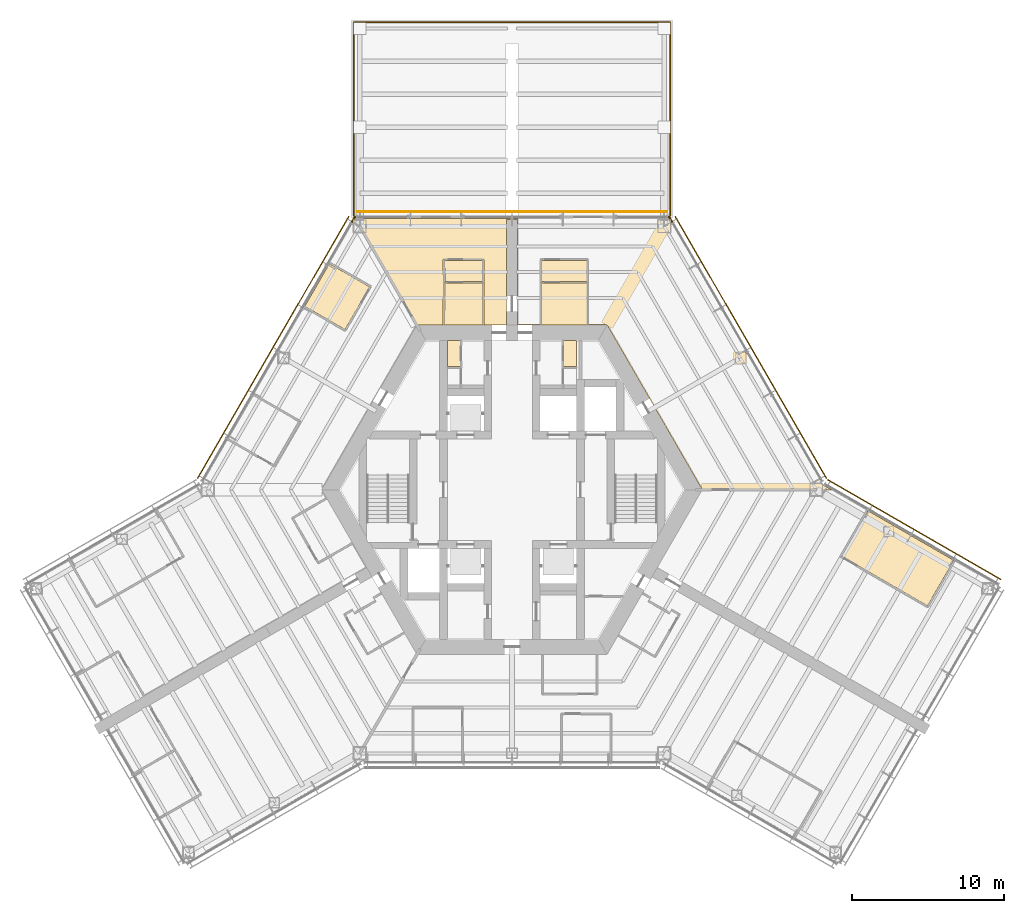
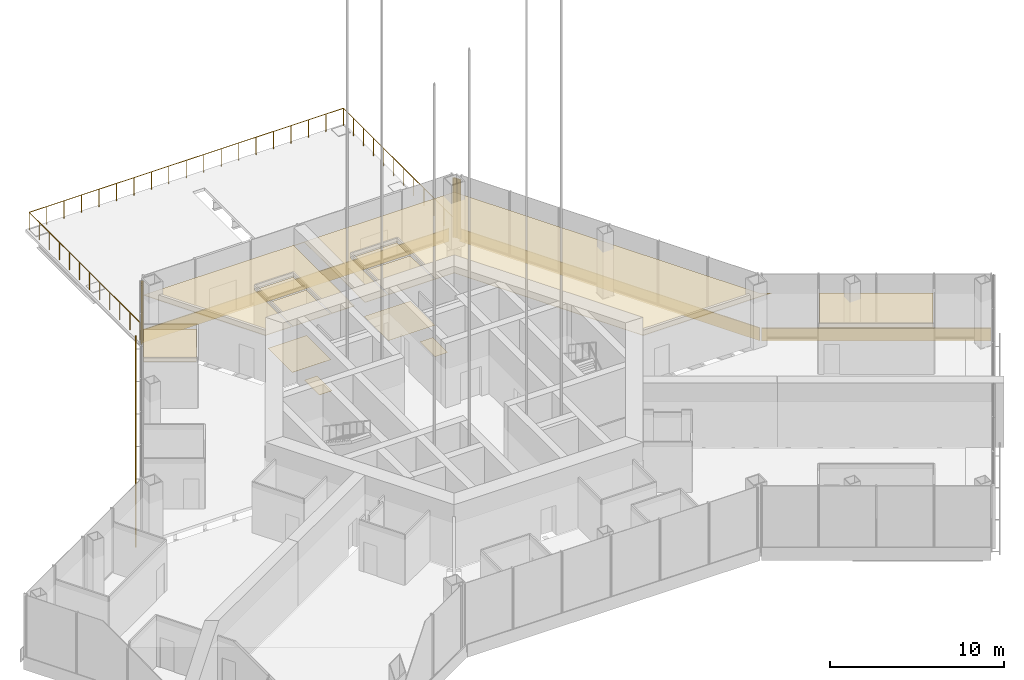
# One storey, part 17 of 18: 14 coverings, 4 shading devices, 1 railing.
"""IFC4 building model written with IfcOpenShell, lengths in metres."""

from ifc_helpers import new_model, si_unit, direction, frame, origin, origin_2d, place, context, subcontext, project, spatial, polyline, rectangle, circle, outline, extrude, material, layer, layer_set, type_object, element, save


model = new_model("IFC4")

# Units and contexts
model_context = context("Model", 3, precision=1e-05, world=origin(), true_north=direction((0.0, 1.0)))
body_context = subcontext(model_context, "Body", "Model", "MODEL_VIEW")
ifc_project = project(units=[si_unit("LENGTHUNIT", "METRE"), si_unit("AREAUNIT", "SQUARE_METRE"), si_unit("VOLUMEUNIT", "CUBIC_METRE"), si_unit("PLANEANGLEUNIT", "RADIAN"), si_unit("MASSUNIT", "GRAM", prefix="KILO")], contexts=[model_context])

# Site, building, storey
site_placement = place(None, origin())
site = spatial("IfcSite", under=ifc_project, at=site_placement, CompositionType="ELEMENT")
building_placement = place(site_placement, origin())
building = spatial("IfcBuilding", under=site, at=building_placement, Name="Kasaneha Research Tower", CompositionType="ELEMENT")
storey_placement = place(building_placement, frame((0.0, 0.0, 128.60009765625)))
storey = spatial("IfcBuildingStorey", under=building, at=storey_placement, Name="L32", CompositionType="ELEMENT", Elevation=128.60009765625)

# Coverings
ifc_material_1 = material(Name="Perforated aluminium acoustic ceiling", Category="aluminium")
ifc_layer_1 = layer(ifc_material_1, 0.030029296875)
ifc_layer_set_1 = layer_set([ifc_layer_1], Name="Acoustic ceiling 30")
covering_type_1 = type_object("IfcCoveringType", Name="Acoustic ceiling 30", PredefinedType="CEILING", material=ifc_layer_set_1)
covering_1_placement = place(storey_placement, frame((0.0, 0.0, 3.199951171875)))
element("IfcCovering", 1, at=covering_1_placement, inside=storey, type_object=covering_type_1, Name="Ceiling L32-30", PredefinedType="CEILING", context=body_context, shape_type="SweptSolid", body=[
    extrude(outline(polyline([(1.89990234375, 10.824951171875), (1.89990234375, 10.844970703125), (1.949951171875, 10.844970703125), (1.95458984375, 13.570068359375), (4.91650390625, 13.570068359375), (4.9208984375, 10.844970703125), (4.970947265625, 10.844970703125), (4.970947265625, 10.824951171875), (1.89990234375, 10.824951171875)])), origin(), (0.0, 0.0, 1.0), 0.030029296875),
])
covering_2_placement = place(storey_placement, frame((0.0, 0.0, 3.199951171875)))
element("IfcCovering", 2, at=covering_2_placement, inside=storey, type_object=covering_type_1, Name="Ceiling L32-31", PredefinedType="CEILING", context=body_context, shape_type="SweptSolid", body=[
    extrude(outline(polyline([(1.954345703125, 13.669921875), (1.9501953125, 15.074951171875), (4.9208984375, 15.074951171875), (4.91650390625, 13.669921875), (1.954345703125, 13.669921875)])), origin(), (0.0, 0.0, 1.0), 0.030029296875),
])
covering_3_placement = place(storey_placement, frame((0.0, 0.0, 3.199951171875)))
element("IfcCovering", 3, at=covering_3_placement, inside=storey, type_object=covering_type_1, Name="Ceiling L32-32", PredefinedType="CEILING", context=body_context, shape_type="SweptSolid", body=[
    extrude(outline(polyline([(6.249755859375, 10.824951171875), (4.971435546875, 10.824951171875), (4.971435546875, 10.844970703125), (5.02099609375, 10.844970703125), (5.016357421875, 13.625), (5.02099609375, 15.124755859375), (4.971435546875, 15.125), (4.971435546875, 15.12548828125), (4.970947265625, 15.12548828125), (4.970947265625, 15.175048828125), (1.89990234375, 15.175048828125), (1.89990234375, 15.125244140625), (1.899658203125, 15.125244140625), (1.899658203125, 15.125), (1.85009765625, 15.124755859375), (1.8544921875, 13.625), (1.85009765625, 10.844970703125), (1.8994140625, 10.844970703125), (1.8994140625, 10.824951171875), (0.35009765625, 10.824951171875), (0.35009765625, 11.72509765625), (0.35009765625, 12.72509765625), (0.35009765625, 17.7705078125), (0.35009765625, 17.7705078125), (0.0, 17.7705078125), (0.0, 17.820556640625), (10.28857421875, 17.820556640625), (20.365966796875, 0.365966796875), (21.0, 0.0), (12.49951171875, 0.0), (6.249755859375, 10.824951171875)])), origin(), (0.0, 0.0, 1.0), 0.030029296875),
])
covering_4_placement = place(storey_placement, frame((0.0, 0.0, 3.199951171875)))
element("IfcCovering", 4, at=covering_4_placement, inside=storey, type_object=covering_type_1, Name="Ceiling L32-33", PredefinedType="CEILING", context=body_context, shape_type="SweptSolid", body=[
    extrude(outline(polyline([(-4.470947265625, 10.824951171875), (-4.470947265625, 10.844970703125), (-4.4208984375, 10.844970703125), (-4.41650390625, 13.570068359375), (-1.95458984375, 13.570068359375), (-1.949951171875, 10.844970703125), (-1.89990234375, 10.844970703125), (-1.89990234375, 10.824951171875), (-4.470947265625, 10.824951171875)])), origin(), (0.0, 0.0, 1.0), 0.030029296875),
])
covering_5_placement = place(storey_placement, frame((0.0, 0.0, 3.199951171875)))
element("IfcCovering", 5, at=covering_5_placement, inside=storey, type_object=covering_type_1, Name="Ceiling L32-34", PredefinedType="CEILING", context=body_context, shape_type="SweptSolid", body=[
    extrude(outline(polyline([(-1.9501953125, 15.074951171875), (-1.95458984375, 13.669921875), (-4.41650390625, 13.669921875), (-4.4208984375, 15.074951171875), (-1.9501953125, 15.074951171875)])), origin(), (0.0, 0.0, 1.0), 0.030029296875),
])
covering_6_placement = place(storey_placement, frame((0.0, 0.0, 3.199951171875)))
element("IfcCovering", 6, at=covering_6_placement, inside=storey, type_object=covering_type_1, Name="Ceiling L32-35", PredefinedType="CEILING", context=body_context, shape_type="SweptSolid", body=[
    extrude(outline(polyline([(-0.35009765625, 11.72509765625), (-0.35009765625, 10.824951171875), (-1.8994140625, 10.824951171875), (-1.8994140625, 10.844970703125), (-1.85009765625, 10.844970703125), (-1.854736328125, 13.625), (-1.85009765625, 15.124755859375), (-1.89990234375, 15.125), (-1.89990234375, 15.12548828125), (-1.89990234375, 15.175048828125), (-4.470947265625, 15.175048828125), (-4.470947265625, 15.125244140625), (-4.471435546875, 15.125244140625), (-4.471435546875, 15.125), (-4.52099609375, 15.124755859375), (-4.516357421875, 13.625), (-4.52099609375, 10.844970703125), (-4.471435546875, 10.844970703125), (-4.471435546875, 10.824951171875), (-6.249755859375, 10.824951171875), (-10.28857421875, 17.820556640625), (0.0, 17.820556640625), (0.0, 17.7705078125), (-0.35009765625, 17.7705078125), (-0.35009765625, 17.7705078125), (-0.35009765625, 12.72509765625), (-0.35009765625, 11.72509765625)])), origin(), (0.0, 0.0, 1.0), 0.030029296875),
])
covering_7_placement = place(storey_placement, frame((0.0, 0.0, 3.199951171875)))
element("IfcCovering", 7, at=covering_7_placement, inside=storey, type_object=covering_type_1, Name="Ceiling L32-39", PredefinedType="CEILING", context=body_context, shape_type="SweptSolid", body=[
    extrude(outline(polyline([(-11.975341796875, 14.899169921875), (-11.94921875, 14.88427734375), (-11.974365234375, 14.8408203125), (-9.35888671875, 13.330810546875), (-10.974365234375, 10.53271484375), (-13.598388671875, 12.0478515625), (-13.623291015625, 12.004638671875), (-13.640869140625, 12.0146484375), (-11.975341796875, 14.899169921875)])), origin(), (0.0, 0.0, 1.0), 0.030029296875),
])
covering_8_placement = place(storey_placement, frame((0.0, 0.0, 3.199951171875)))
element("IfcCovering", 8, at=covering_8_placement, inside=storey, type_object=covering_type_1, Name="Ceiling L32-46", PredefinedType="CEILING", context=body_context, shape_type="SweptSolid", body=[
    extrude(outline(polyline([(29.074951171875, -4.662109375), (29.06005859375, -4.68798828125), (29.0166015625, -4.6630859375), (27.306640625, -7.625), (21.660400390625, -4.364990234375), (23.37548828125, -1.39453125), (23.332275390625, -1.36962890625), (23.34228515625, -1.352294921875), (29.074951171875, -4.662109375)])), origin(), (0.0, 0.0, 1.0), 0.030029296875),
])
ifc_material_2 = material(Name="Terracotta", Category="masonry")
covering_type_2 = type_object("IfcCoveringType", Name="Corner pier cladding", PredefinedType="CLADDING", material=ifc_material_2)
covering_9_placement = place(storey_placement, origin())
element("IfcCovering", 9, at=covering_9_placement, inside=storey, type_object=covering_type_2, Name="Corner pier cladding L32 V1", PredefinedType="CLADDING", context=body_context, shape_type="SweptSolid", body=[
    extrude(outline(polyline([(10.511474609375, 17.53466796875), (10.449951171875, 17.64111328125), (10.449951171875, 17.7705078125), (10.375244140625, 17.7705078125), (10.317626953125, 17.87060546875), (10.247314453125, 17.87060546875), (10.247314453125, 17.96044921875), (10.369384765625, 17.96044921875), (10.58935546875, 17.57958984375), (10.511474609375, 17.53466796875)])), origin(), (0.0, 0.0, 1.0), 4.15185546875),
])
covering_10_placement = place(storey_placement, origin())
element("IfcCovering", 10, at=covering_10_placement, inside=storey, type_object=covering_type_2, Name="Corner pier cladding L32 V2", PredefinedType="CLADDING", context=body_context, shape_type="SweptSolid", body=[
    extrude(outline(polyline([(-10.247314453125, 17.87060546875), (-10.317626953125, 17.87060546875), (-10.375244140625, 17.7705078125), (-10.449951171875, 17.7705078125), (-10.449951171875, 17.64111328125), (-10.511474609375, 17.53466796875), (-10.58935546875, 17.57958984375), (-10.369384765625, 17.96044921875), (-10.247314453125, 17.96044921875), (-10.247314453125, 17.87060546875)])), origin(), (0.0, 0.0, 1.0), 4.15185546875),
])

# Railing
ifc_material_3 = material(Name="Steel and laminated glass", Category="steel")
railing_type = type_object("IfcRailingType", Name="Terrace guard 1250", PredefinedType="GUARDRAIL", material=ifc_material_3)
railing_placement = place(storey_placement, frame((-10.39990234375, 18.0205078125, 0.0)))
element("IfcRailing", 11, at=railing_placement, inside=storey, type_object=railing_type, Name="Terrace guard A L32", PredefinedType="GUARDRAIL", context=body_context, shape_type="SweptSolid", body=[
    extrude(circle(Radius=0.02392578125, at=origin_2d()), frame((0.0, 0.0, 1.22607421875), z_axis=(0.0, 1.0, 0.0), x_axis=(-1.0, 0.0, 0.0)), (0.0, 0.0, 1.0), 12.699951171875),
    extrude(circle(Radius=0.02392578125, at=origin_2d()), frame((0.0, 12.699951171875, 1.22607421875), z_axis=(1.0, 0.0, 0.0), x_axis=(0.0, 1.0, 0.0)), (0.0, 0.0, 1.0), 20.7998046875),
    extrude(circle(Radius=0.02392578125, at=origin_2d()), frame((20.7998046875, 12.699951171875, 1.22607421875), z_axis=(0.0, -1.0, 0.0), x_axis=(1.0, 0.0, 0.0)), (0.0, 0.0, 1.0), 12.699951171875),
    extrude(circle(Radius=0.02099609375, at=origin_2d()), origin(), (0.0, 0.0, 1.0), 1.201904296875),
    extrude(circle(Radius=0.02099609375, at=origin_2d()), frame((0.0, 1.154541015625, 0.0)), (0.0, 0.0, 1.0), 1.201904296875),
    extrude(circle(Radius=0.02099609375, at=origin_2d()), frame((0.0, 2.30908203125, 0.0)), (0.0, 0.0, 1.0), 1.201904296875),
    extrude(circle(Radius=0.02099609375, at=origin_2d()), frame((0.0, 3.463623046875, 0.0)), (0.0, 0.0, 1.0), 1.201904296875),
    extrude(circle(Radius=0.02099609375, at=origin_2d()), frame((0.0, 4.6181640625, 0.0)), (0.0, 0.0, 1.0), 1.201904296875),
    extrude(circle(Radius=0.02099609375, at=origin_2d()), frame((0.0, 5.772705078125, 0.0)), (0.0, 0.0, 1.0), 1.201904296875),
    extrude(circle(Radius=0.02099609375, at=origin_2d()), frame((0.0, 6.92724609375, 0.0)), (0.0, 0.0, 1.0), 1.201904296875),
    extrude(circle(Radius=0.02099609375, at=origin_2d()), frame((0.0, 8.081787109375, 0.0)), (0.0, 0.0, 1.0), 1.201904296875),
    extrude(circle(Radius=0.02099609375, at=origin_2d()), frame((0.0, 9.236328125, 0.0)), (0.0, 0.0, 1.0), 1.201904296875),
    extrude(circle(Radius=0.02099609375, at=origin_2d()), frame((0.0, 10.390869140625, 0.0)), (0.0, 0.0, 1.0), 1.201904296875),
    extrude(circle(Radius=0.02099609375, at=origin_2d()), frame((0.0, 11.54541015625, 0.0)), (0.0, 0.0, 1.0), 1.201904296875),
    extrude(circle(Radius=0.02099609375, at=origin_2d()), frame((0.0, 12.699951171875, 0.0)), (0.0, 0.0, 1.0), 1.201904296875),
    extrude(circle(Radius=0.02099609375, at=origin_2d()), frame((1.155517578125, 12.699951171875, 0.0)), (0.0, 0.0, 1.0), 1.201904296875),
    extrude(circle(Radius=0.02099609375, at=origin_2d()), frame((2.31103515625, 12.699951171875, 0.0)), (0.0, 0.0, 1.0), 1.201904296875),
    extrude(circle(Radius=0.02099609375, at=origin_2d()), frame((3.466552734375, 12.699951171875, 0.0)), (0.0, 0.0, 1.0), 1.201904296875),
    extrude(circle(Radius=0.02099609375, at=origin_2d()), frame((4.6220703125, 12.699951171875, 0.0)), (0.0, 0.0, 1.0), 1.201904296875),
    extrude(circle(Radius=0.02099609375, at=origin_2d()), frame((5.77783203125, 12.699951171875, 0.0)), (0.0, 0.0, 1.0), 1.201904296875),
    extrude(circle(Radius=0.02099609375, at=origin_2d()), frame((6.933349609375, 12.699951171875, 0.0)), (0.0, 0.0, 1.0), 1.201904296875),
    extrude(circle(Radius=0.02099609375, at=origin_2d()), frame((8.0888671875, 12.699951171875, 0.0)), (0.0, 0.0, 1.0), 1.201904296875),
    extrude(circle(Radius=0.02099609375, at=origin_2d()), frame((9.244384765625, 12.699951171875, 0.0)), (0.0, 0.0, 1.0), 1.201904296875),
    extrude(circle(Radius=0.02099609375, at=origin_2d()), frame((10.39990234375, 12.699951171875, 0.0)), (0.0, 0.0, 1.0), 1.201904296875),
    extrude(circle(Radius=0.02099609375, at=origin_2d()), frame((11.555419921875, 12.699951171875, 0.0)), (0.0, 0.0, 1.0), 1.201904296875),
    extrude(circle(Radius=0.02099609375, at=origin_2d()), frame((12.7109375, 12.699951171875, 0.0)), (0.0, 0.0, 1.0), 1.201904296875),
    extrude(circle(Radius=0.02099609375, at=origin_2d()), frame((13.866455078125, 12.699951171875, 0.0)), (0.0, 0.0, 1.0), 1.201904296875),
    extrude(circle(Radius=0.02099609375, at=origin_2d()), frame((15.02197265625, 12.699951171875, 0.0)), (0.0, 0.0, 1.0), 1.201904296875),
    extrude(circle(Radius=0.02099609375, at=origin_2d()), frame((16.177734375, 12.699951171875, 0.0)), (0.0, 0.0, 1.0), 1.201904296875),
    extrude(circle(Radius=0.02099609375, at=origin_2d()), frame((17.333251953125, 12.699951171875, 0.0)), (0.0, 0.0, 1.0), 1.201904296875),
    extrude(circle(Radius=0.02099609375, at=origin_2d()), frame((18.48876953125, 12.699951171875, 0.0)), (0.0, 0.0, 1.0), 1.201904296875),
    extrude(circle(Radius=0.02099609375, at=origin_2d()), frame((19.644287109375, 12.699951171875, 0.0)), (0.0, 0.0, 1.0), 1.201904296875),
    extrude(circle(Radius=0.02099609375, at=origin_2d()), frame((20.7998046875, 12.699951171875, 0.0)), (0.0, 0.0, 1.0), 1.201904296875),
    extrude(circle(Radius=0.02099609375, at=origin_2d()), frame((20.7998046875, 11.54541015625, 0.0)), (0.0, 0.0, 1.0), 1.201904296875),
    extrude(circle(Radius=0.02099609375, at=origin_2d()), frame((20.7998046875, 10.390869140625, 0.0)), (0.0, 0.0, 1.0), 1.201904296875),
    extrude(circle(Radius=0.02099609375, at=origin_2d()), frame((20.7998046875, 9.236328125, 0.0)), (0.0, 0.0, 1.0), 1.201904296875),
    extrude(circle(Radius=0.02099609375, at=origin_2d()), frame((20.7998046875, 8.081787109375, 0.0)), (0.0, 0.0, 1.0), 1.201904296875),
    extrude(circle(Radius=0.02099609375, at=origin_2d()), frame((20.7998046875, 6.92724609375, 0.0)), (0.0, 0.0, 1.0), 1.201904296875),
    extrude(circle(Radius=0.02099609375, at=origin_2d()), frame((20.7998046875, 5.772705078125, 0.0)), (0.0, 0.0, 1.0), 1.201904296875),
    extrude(circle(Radius=0.02099609375, at=origin_2d()), frame((20.7998046875, 4.6181640625, 0.0)), (0.0, 0.0, 1.0), 1.201904296875),
    extrude(circle(Radius=0.02099609375, at=origin_2d()), frame((20.7998046875, 3.463623046875, 0.0)), (0.0, 0.0, 1.0), 1.201904296875),
    extrude(circle(Radius=0.02099609375, at=origin_2d()), frame((20.7998046875, 2.30908203125, 0.0)), (0.0, 0.0, 1.0), 1.201904296875),
    extrude(circle(Radius=0.02099609375, at=origin_2d()), frame((20.7998046875, 1.154541015625, 0.0)), (0.0, 0.0, 1.0), 1.201904296875),
    extrude(circle(Radius=0.02099609375, at=origin_2d()), frame((20.7998046875, 0.0, 0.0)), (0.0, 0.0, 1.0), 1.201904296875),
])

# Shading devices
ifc_material_4 = material(Name="Terracotta", Category="masonry")
ifc_layer_2 = layer(ifc_material_4, 0.06005859375)
ifc_layer_set_2 = layer_set([ifc_layer_2], Name="Terracotta baguette screen")
shading_device_type = type_object("IfcShadingDeviceType", Name="Terracotta baguette screen", PredefinedType="USERDEFINED", material=ifc_layer_set_2)
shading_device_1_placement = place(storey_placement, frame((26.43359375, -2.617431640625, -0.449951171875), z_axis=(0.0, 0.0, 1.0), x_axis=(-0.866025411464, 0.499999986699, 0.0)))
element("IfcShadingDevice", 12, at=shading_device_1_placement, inside=storey, type_object=shading_device_type, Name="Baguette screen L32 05", ObjectType="TERRACOTTA BAGUETTE SCREEN", PredefinedType="USERDEFINED", context=body_context, shape_type="SweptSolid", body=[
    extrude(rectangle(XDim=13.13916015625, YDim=0.06005859375, at=origin_2d()), origin(), (0.0, 0.0, 1.0), 0.89990234375),
])
shading_device_2_placement = place(storey_placement, frame((15.696044921875, 9.35498046875, -0.449951171875), z_axis=(0.0, 0.0, 1.0), x_axis=(-0.499999979232, 0.866025415775, 0.0)))
element("IfcShadingDevice", 13, at=shading_device_2_placement, inside=storey, type_object=shading_device_type, Name="Baguette screen L32 06", ObjectType="TERRACOTTA BAGUETTE SCREEN", PredefinedType="USERDEFINED", context=body_context, shape_type="SweptSolid", body=[
    extrude(rectangle(XDim=19.8857421875, YDim=0.06005859375, at=origin_2d()), origin(), (0.0, 0.0, 1.0), 0.89990234375),
])
shading_device_3_placement = place(storey_placement, frame((0.0, 18.2705078125, -0.449951171875), z_axis=(0.0, 0.0, 1.0), x_axis=(-1.0, 0.0, 0.0)))
element("IfcShadingDevice", 14, at=shading_device_3_placement, inside=storey, type_object=shading_device_type, Name="Baguette screen L32 07", ObjectType="TERRACOTTA BAGUETTE SCREEN", PredefinedType="USERDEFINED", context=body_context, shape_type="SweptSolid", body=[
    extrude(rectangle(XDim=20.392822265625, YDim=0.06005859375, at=origin_2d()), origin(), (0.0, 0.0, 1.0), 0.89990234375),
])
shading_device_4_placement = place(storey_placement, frame((-15.696044921875, 9.35498046875, -0.449951171875), z_axis=(0.0, 0.0, 1.0), x_axis=(-0.499999979232, -0.866025415775, 0.0)))
element("IfcShadingDevice", 15, at=shading_device_4_placement, inside=storey, type_object=shading_device_type, Name="Baguette screen L32 08", ObjectType="TERRACOTTA BAGUETTE SCREEN", PredefinedType="USERDEFINED", context=body_context, shape_type="SweptSolid", body=[
    extrude(rectangle(XDim=19.8857421875, YDim=0.06005859375, at=origin_2d()), origin(), (0.0, 0.0, 1.0), 0.89990234375),
])

# Coverings
ifc_material_5 = material(Name="Vinyl sheet flooring", Category="plastic")
ifc_layer_3 = layer(ifc_material_5, 0.0048828125)
ifc_layer_set_3 = layer_set([ifc_layer_3], Name="Wet room sheet flooring 5")
covering_type_3 = type_object("IfcCoveringType", Name="Wet room sheet flooring 5", PredefinedType="FLOORING", material=ifc_layer_set_3)
covering_11_placement = place(storey_placement, origin())
element("IfcCovering", 16, at=covering_11_placement, inside=storey, type_object=covering_type_3, Name="Floor finish L32-07", PredefinedType="FLOORING", context=body_context, shape_type="SweptSolid", body=[
    extrude(outline(polyline([(-4.25, 8.10009765625), (-4.25, 9.824951171875), (-3.39990234375, 9.824951171875), (-3.39990234375, 8.10009765625), (-4.25, 8.10009765625)])), origin(), (0.0, 0.0, 1.0), 0.0048828125),
])
covering_12_placement = place(storey_placement, origin())
element("IfcCovering", 17, at=covering_12_placement, inside=storey, type_object=covering_type_3, Name="Floor finish L32-10", PredefinedType="FLOORING", context=body_context, shape_type="SweptSolid", body=[
    extrude(outline(polyline([(4.25, 8.10009765625), (3.39990234375, 8.10009765625), (3.39990234375, 9.824951171875), (4.25, 9.824951171875), (4.25, 8.10009765625)])), origin(), (0.0, 0.0, 1.0), 0.0048828125),
])
covering_13_placement = place(storey_placement, origin())
element("IfcCovering", 18, at=covering_13_placement, inside=storey, type_object=covering_type_3, Name="Floor finish L32-30", PredefinedType="FLOORING", context=body_context, shape_type="SweptSolid", body=[
    extrude(outline(polyline([(4.970947265625, 13.625), (4.970947265625, 10.824951171875), (1.89990234375, 10.824951171875), (1.89990234375, 13.625), (4.970947265625, 13.625)])), origin(), (0.0, 0.0, 1.0), 0.0048828125),
])
covering_14_placement = place(storey_placement, origin())
element("IfcCovering", 19, at=covering_14_placement, inside=storey, type_object=covering_type_3, Name="Floor finish L32-33", PredefinedType="FLOORING", context=body_context, shape_type="SweptSolid", body=[
    extrude(outline(polyline([(-1.89990234375, 13.625), (-1.89990234375, 10.824951171875), (-4.470947265625, 10.824951171875), (-4.470947265625, 13.625), (-1.89990234375, 13.625)])), origin(), (0.0, 0.0, 1.0), 0.0048828125),
])

save(model, "model.ifc")
